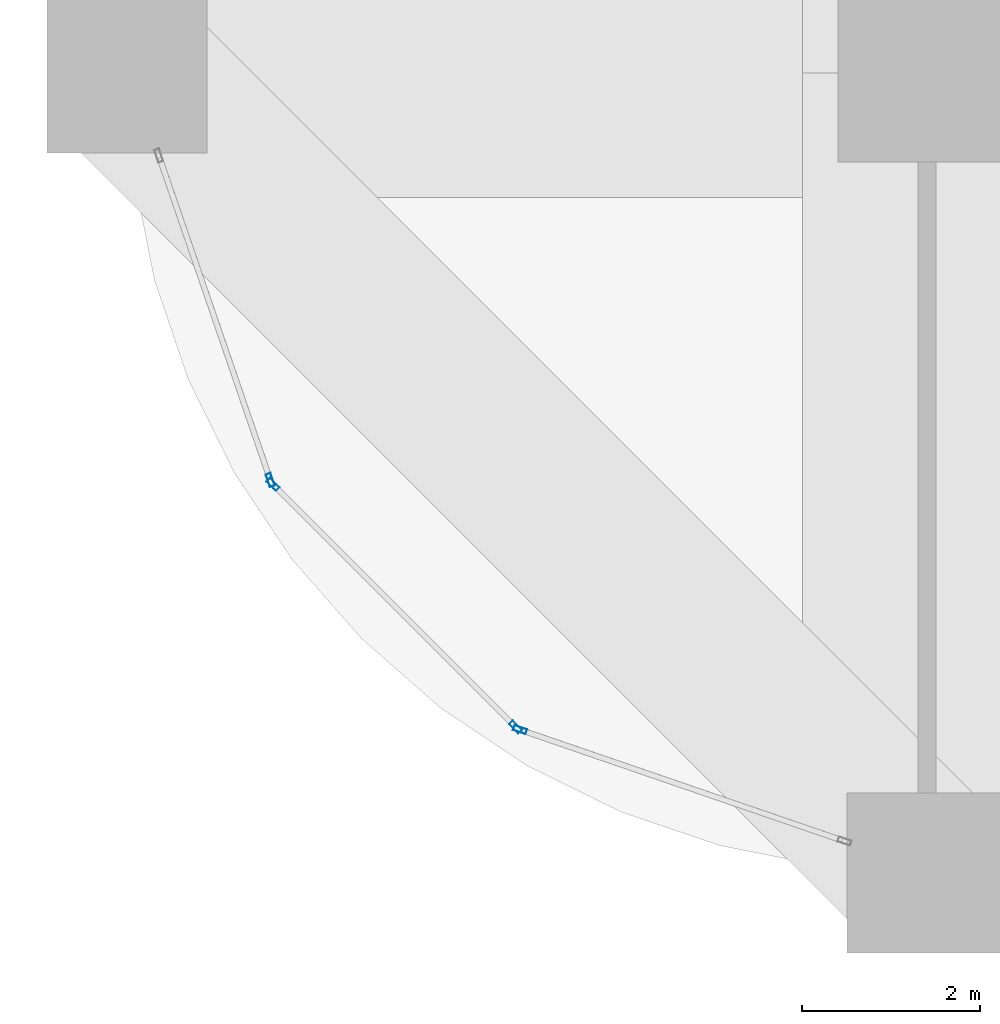
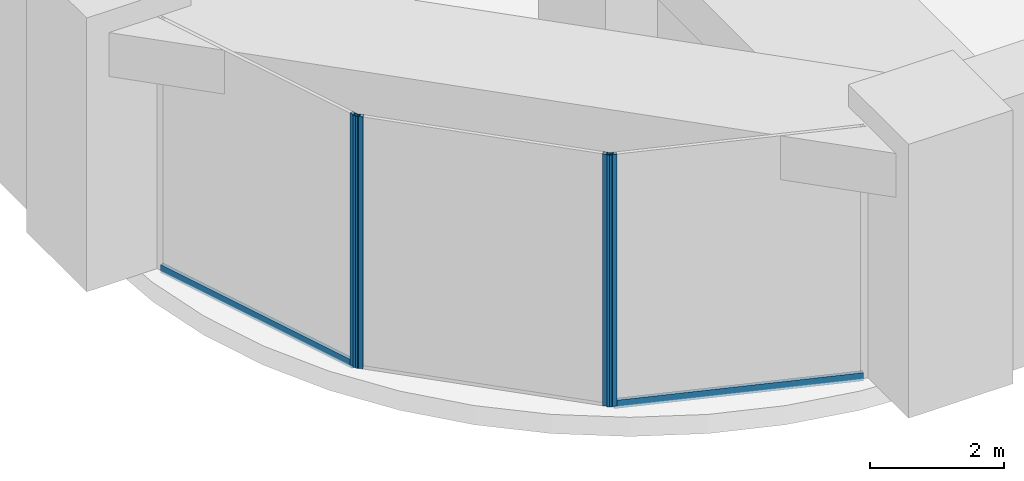
# One storey, part 2 of 38: 6 members, 3 elements without a shape of their own.
"""IFC4 building model written with IfcOpenShell, lengths in metres."""

from ifc_helpers import new_model, si_unit, direction, frame, origin, origin_2d, place, context, subcontext, project, spatial, hollow_rectangle, extrude, material, material_profile, profile_set, type_object, element, aggregate, save


model = new_model("IFC4")

# Units and contexts
model_context = context("Model", 3, precision=1e-05, world=origin(), true_north=direction((0.0, 1.0)))
body_context = subcontext(model_context, "Body", "Model", "MODEL_VIEW")
ifc_project = project(units=[si_unit("LENGTHUNIT", "METRE"), si_unit("AREAUNIT", "SQUARE_METRE"), si_unit("VOLUMEUNIT", "CUBIC_METRE"), si_unit("PLANEANGLEUNIT", "RADIAN"), si_unit("MASSUNIT", "GRAM", prefix="KILO")], contexts=[model_context])

# Site, building, storey
site_placement = place(None, origin())
site = spatial("IfcSite", under=ifc_project, at=site_placement, CompositionType="ELEMENT")
building_placement = place(site_placement, origin())
building = spatial("IfcBuilding", under=site, at=building_placement, Name="Zorevar Civic Tower", CompositionType="ELEMENT")
storey_placement = place(building_placement, frame((0.0, 0.0, 157.199951171875)))
storey = spatial("IfcBuildingStorey", under=building, at=storey_placement, Name="L38", CompositionType="ELEMENT", Elevation=157.199951171875)

# Curtain wall, member
ifc_material_1 = material(Name="Black aluminium louvres", Category="aluminium")
curtain_wall_type = type_object("IfcCurtainWallType", Name="Louvred curtain wall CW6 refuge", PredefinedType="NOTDEFINED", material=ifc_material_1)
curtain_wall_1_placement = place(storey_placement, origin())
curtain_wall_1 = element("IfcCurtainWall", 1, at=curtain_wall_1_placement, inside=storey, type_object=curtain_wall_type, Name="CW6 L38", PredefinedType="NOTDEFINED")
ifc_material_2 = material(Name="Aluminium, black anodised", Category="aluminium")
ifc_material_profile_1 = material_profile(ifc_material_2, hollow_rectangle(XDim=0.06005859375, YDim=0.14990234375, WallThickness=0.00390625, at=origin_2d()), Name="AL 150x60x4")
ifc_profile_set_1 = profile_set([ifc_material_profile_1], Name="Aluminium, black anodised")
member_type_1 = type_object("IfcMemberType", Name="CW6 mullion AL 150x60x4", PredefinedType="MULLION", material=ifc_profile_set_1)
member_1_placement = place(storey_placement, frame((1.610595703125, 4.420654296875, 0.0), z_axis=(0.0, 0.0, 1.0), x_axis=(0.945755772794, 0.324878466857, 0.0)))
member_1 = element("IfcMember", 2, at=member_1_placement, type_object=member_type_1, Name="CW6 mullion 2", PredefinedType="MULLION", context=body_context, shape_type="SweptSolid", body=[
    extrude(hollow_rectangle(XDim=0.06005859375, YDim=0.14990234375, WallThickness=0.00390625, at=origin_2d()), origin(), (0.0, 0.0, 1.0), 4.60009765625),
])

# Curtain wall, members
curtain_wall_2_placement = place(storey_placement, origin())
curtain_wall_2 = element("IfcCurtainWall", 3, at=curtain_wall_2_placement, inside=storey, type_object=curtain_wall_type, Name="CW6 L38", PredefinedType="NOTDEFINED")
member_2_placement = place(storey_placement, frame((1.6416015625, 4.37109375, 0.0), z_axis=(0.0, 0.0, 1.0), x_axis=(0.707106781187, 0.707106781187, 0.0)))
member_2 = element("IfcMember", 4, at=member_2_placement, type_object=member_type_1, Name="CW6 mullion 1", PredefinedType="MULLION", context=body_context, shape_type="SweptSolid", body=[
    extrude(hollow_rectangle(XDim=0.06005859375, YDim=0.14990234375, WallThickness=0.00390625, at=origin_2d()), origin(), (0.0, 0.0, 1.0), 4.60009765625),
])
member_3_placement = place(storey_placement, frame((4.37109375, 1.6416015625, 0.0), z_axis=(0.0, 0.0, 1.0), x_axis=(0.707106781187, 0.707106781187, 0.0)))
member_3 = element("IfcMember", 5, at=member_3_placement, type_object=member_type_1, Name="CW6 mullion 2", PredefinedType="MULLION", context=body_context, shape_type="SweptSolid", body=[
    extrude(hollow_rectangle(XDim=0.06005859375, YDim=0.14990234375, WallThickness=0.00390625, at=origin_2d()), origin(), (0.0, 0.0, 1.0), 4.60009765625),
])
aggregate(curtain_wall_2, [member_2, member_3])

# Curtain wall, member
curtain_wall_3_placement = place(storey_placement, origin())
curtain_wall_3 = element("IfcCurtainWall", 6, at=curtain_wall_3_placement, inside=storey, type_object=curtain_wall_type, Name="CW6 L38", PredefinedType="NOTDEFINED")
member_4_placement = place(storey_placement, frame((4.420654296875, 1.610595703125, 0.0), z_axis=(0.0, 0.0, 1.0), x_axis=(0.324878466857, 0.945755772794, 0.0)))
member_4 = element("IfcMember", 7, at=member_4_placement, type_object=member_type_1, Name="CW6 mullion 1", PredefinedType="MULLION", context=body_context, shape_type="SweptSolid", body=[
    extrude(hollow_rectangle(XDim=0.06005859375, YDim=0.14990234375, WallThickness=0.00390625, at=origin_2d()), origin(), (0.0, 0.0, 1.0), 4.60009765625),
])

# Member
ifc_material_3 = material(Name="Aluminium, black anodised", Category="aluminium")
ifc_material_profile_2 = material_profile(ifc_material_3, hollow_rectangle(XDim=0.06005859375, YDim=0.14990234375, WallThickness=0.00390625, at=origin_2d()), Name="AL 150x60x4")
ifc_profile_set_2 = profile_set([ifc_material_profile_2], Name="Aluminium, black anodised")
member_type_2 = type_object("IfcMemberType", Name="CW6 transom AL 150x60x4", PredefinedType="USERDEFINED", material=ifc_profile_set_2)
member_5_placement = place(storey_placement, frame((0.3662109375, 8.043212890625, 0.030029296875), z_axis=(0.324887643602, -0.945752620422, 0.0), x_axis=(0.945752620422, 0.324887643602, 0.0)))
member_5 = element("IfcMember", 8, at=member_5_placement, type_object=member_type_2, Name="CW6 sill transom", ObjectType="TRANSOM", PredefinedType="USERDEFINED", context=body_context, shape_type="SweptSolid", body=[
    extrude(hollow_rectangle(XDim=0.06005859375, YDim=0.14990234375, WallThickness=0.00390625, at=origin_2d()), origin(), (0.0, 0.0, 1.0), 3.800048828125),
])

aggregate(curtain_wall_1, [member_1, member_5])

member_6_placement = place(storey_placement, frame((4.44921875, 1.600830078125, 0.030029296875), z_axis=(0.945752620422, -0.324887643602, 0.0), x_axis=(0.324887643602, 0.945752620422, 0.0)))
member_6 = element("IfcMember", 9, at=member_6_placement, type_object=member_type_2, Name="CW6 sill transom", ObjectType="TRANSOM", PredefinedType="USERDEFINED", context=body_context, shape_type="SweptSolid", body=[
    extrude(hollow_rectangle(XDim=0.06005859375, YDim=0.14990234375, WallThickness=0.00390625, at=origin_2d()), origin(), (0.0, 0.0, 1.0), 3.800048828125),
])

aggregate(curtain_wall_3, [member_4, member_6])

save(model, "model.ifc")
